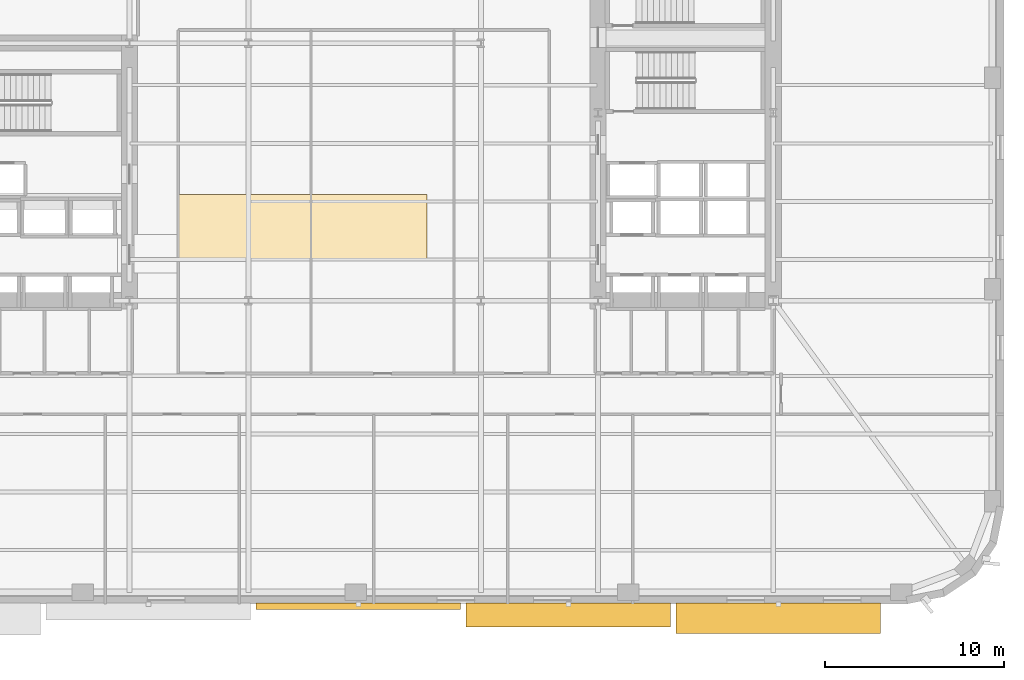
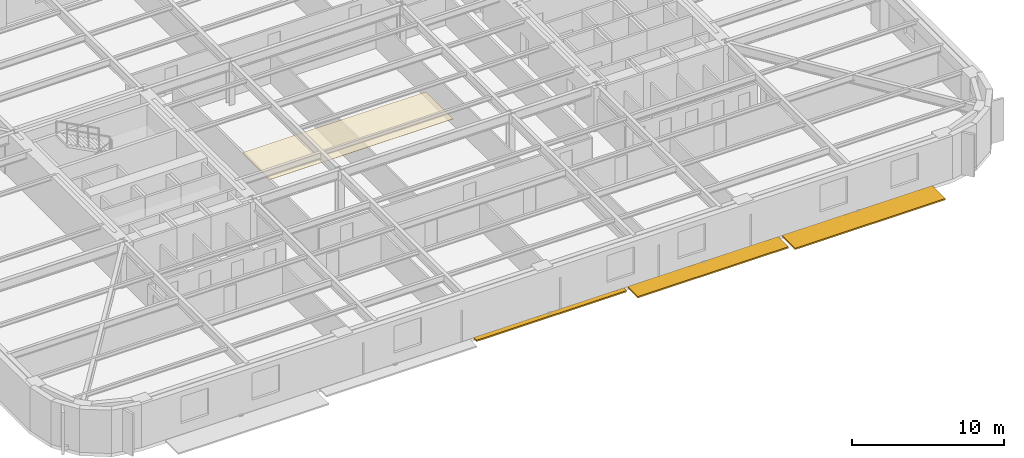
# One storey, part 11 of 15: 3 shading devices, 1 covering.
"""IFC4 building model written with IfcOpenShell, lengths in metres."""

from ifc_helpers import new_model, si_unit, direction, frame, origin, origin_2d, place, context, subcontext, project, spatial, polyline, rectangle, outline, extrude, material, layer, layer_set, type_object, element, save


model = new_model("IFC4")

# Units and contexts
model_context = context("Model", 3, precision=1e-05, world=origin(), true_north=direction((0.0, 1.0)))
body_context = subcontext(model_context, "Body", "Model", "MODEL_VIEW")
ifc_project = project(units=[si_unit("LENGTHUNIT", "METRE"), si_unit("AREAUNIT", "SQUARE_METRE"), si_unit("VOLUMEUNIT", "CUBIC_METRE"), si_unit("PLANEANGLEUNIT", "RADIAN"), si_unit("MASSUNIT", "GRAM", prefix="KILO")], contexts=[model_context])

# Site, building, storey
site_placement = place(None, origin())
site = spatial("IfcSite", under=ifc_project, at=site_placement, CompositionType="ELEMENT")
building_placement = place(site_placement, origin())
building = spatial("IfcBuilding", under=site, at=building_placement, Name="Kolvaren Arena Tower", CompositionType="ELEMENT")
storey_placement = place(building_placement, frame((0.0, 0.0, 72.0)))
storey = spatial("IfcBuildingStorey", under=building, at=storey_placement, Name="L15", CompositionType="ELEMENT", Elevation=72.0)

# Covering
ifc_material_1 = material(Name="Mineral fibre acoustic ceiling tile", Category="gypsum")
ifc_layer = layer(ifc_material_1, 0.02490234375)
ifc_layer_set = layer_set([ifc_layer], Name="Mineral fibre acoustic ceiling tile")
covering_type = type_object("IfcCoveringType", Name="CEIL-ACT-1", PredefinedType="CEILING", material=ifc_layer_set)
covering_placement = place(storey_placement, frame((0.0, 0.0, 2.52001953125)))
element("IfcCovering", 1, at=covering_placement, inside=storey, type_object=covering_type, Name="Suspended Ceiling (L15)", PredefinedType="CEILING", context=body_context, shape_type="SweptSolid", body=[
    extrude(outline(polyline([(27.050048828125, 21.800048828125), (27.050048828125, 25.39990234375), (41.0, 25.39990234375), (41.0, 21.800048828125), (27.050048828125, 21.800048828125)])), origin(), (0.0, 0.0, 1.0), 0.02490234375),
])

# Shading devices
ifc_material_2 = material(Name="Architectural precast GFRC and anodised aluminium sunshade", Category="concrete")
shading_device_type_1 = type_object("IfcShadingDeviceType", Name="SHAD-SINE-A", PredefinedType="USERDEFINED", material=ifc_material_2)
shading_device_1_placement = place(storey_placement, frame((37.14990234375, 2.361328125, -0.14013671875), z_axis=(0.0, 0.0, 1.0), x_axis=(-1.0, 0.0, 0.0)))
element("IfcShadingDevice", 2, at=shading_device_1_placement, inside=storey, type_object=shading_device_type_1, Name="Sinusoidal Slab-Edge Sunshade Louvre (L15)", ObjectType="LOUVRE", PredefinedType="USERDEFINED", context=body_context, shape_type="SweptSolid", body=[
    extrude(rectangle(XDim=11.43994140625, YDim=0.377197265625, at=origin_2d()), origin(), (0.0, 0.0, 1.0), 0.1201171875),
])
shading_device_type_2 = type_object("IfcShadingDeviceType", Name="SHAD-SINE-B", PredefinedType="JALOUSIE", material=ifc_material_2)
shading_device_2_placement = place(storey_placement, frame((60.6298828125, 1.69091796875, -0.14013671875), z_axis=(0.0, 0.0, 1.0), x_axis=(-1.0, 0.0, 0.0)))
element("IfcShadingDevice", 3, at=shading_device_2_placement, inside=storey, type_object=shading_device_type_2, Name="Sinusoidal Slab-Edge Sunshade Louvre (L15)", PredefinedType="JALOUSIE", context=body_context, shape_type="SweptSolid", body=[
    extrude(rectangle(XDim=11.43994140625, YDim=1.718505859375, at=origin_2d()), origin(), (0.0, 0.0, 1.0), 0.1201171875),
])
shading_device_3_placement = place(storey_placement, frame((48.889892578125, 1.87890625, -0.14013671875), z_axis=(0.0, 0.0, 1.0), x_axis=(-1.0, 0.0, 0.0)))
element("IfcShadingDevice", 4, at=shading_device_3_placement, inside=storey, type_object=shading_device_type_2, Name="Sinusoidal Slab-Edge Sunshade Louvre (L15)", PredefinedType="JALOUSIE", context=body_context, shape_type="SweptSolid", body=[
    extrude(rectangle(XDim=11.43994140625, YDim=1.341796875, at=origin_2d()), origin(), (0.0, 0.0, 1.0), 0.1201171875),
])

save(model, "model.ifc")
